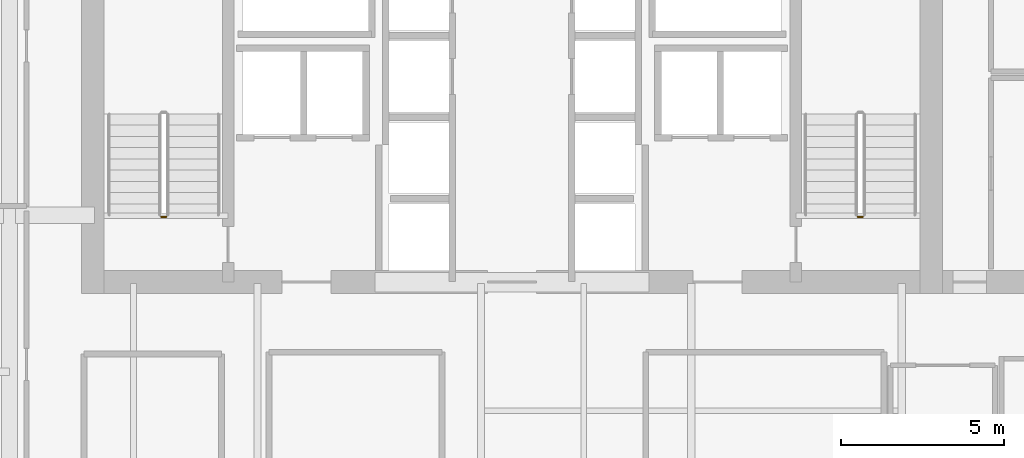
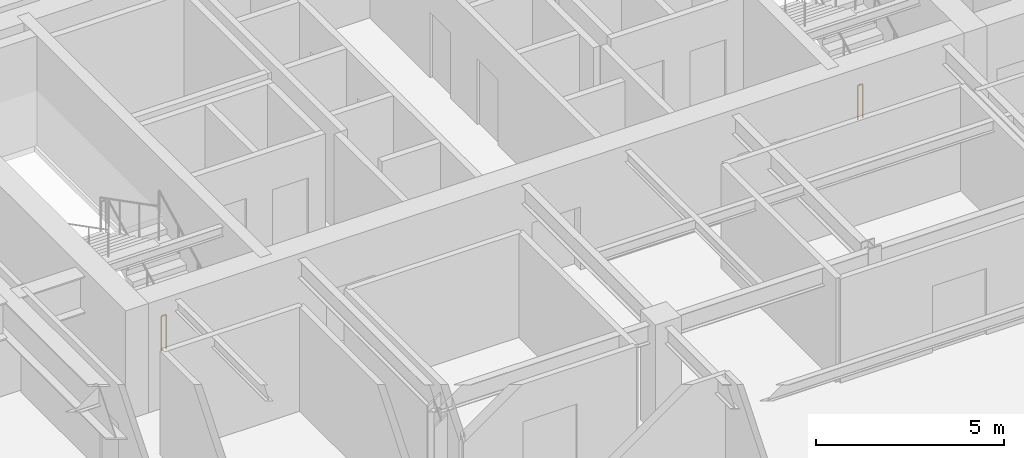
# One storey, part 18 of 21: 2 railings.
"""IFC4 building model written with IfcOpenShell, lengths in metres."""

from ifc_helpers import new_model, si_unit, direction, frame, origin, origin_2d, place, context, subcontext, project, spatial, circle, extrude, material, type_object, element, save


model = new_model("IFC4")

# Units and contexts
model_context = context("Model", 3, precision=1e-05, world=origin(), true_north=direction((0.0, 1.0)))
body_context = subcontext(model_context, "Body", "Model", "MODEL_VIEW")
ifc_project = project(units=[si_unit("LENGTHUNIT", "METRE"), si_unit("AREAUNIT", "SQUARE_METRE"), si_unit("VOLUMEUNIT", "CUBIC_METRE"), si_unit("PLANEANGLEUNIT", "RADIAN"), si_unit("MASSUNIT", "GRAM", prefix="KILO")], contexts=[model_context])

# Site, building, storey
site_placement = place(None, origin())
site = spatial("IfcSite", under=ifc_project, at=site_placement, CompositionType="ELEMENT")
building_placement = place(site_placement, origin())
building = spatial("IfcBuilding", under=site, at=building_placement, Name="Tolvann Quenvar Hotel", CompositionType="ELEMENT")
storey_placement = place(building_placement, frame((0.0, 0.0, 161.25)))
storey = spatial("IfcBuildingStorey", under=building, at=storey_placement, Name="L42", CompositionType="ELEMENT", Elevation=161.25)

# Railings
ifc_material = material(Name="Brushed 316 stainless steel balustrade and handrail", Category="steel")
railing_type = type_object("IfcRailingType", Name="GUARDRAIL", PredefinedType="GUARDRAIL", material=ifc_material)
for number, where, name in (
    (1, (12.39990234375, 33.949951171875, 0.0), "L42 ST-C1 stair guard 4"),
    (2, (33.75, 33.949951171875, 0.0), "L42 ST-C2 stair guard 4"),
):
    element("IfcRailing", number, at=place(storey_placement, frame(where)), inside=storey, type_object=railing_type, Name=name, PredefinedType="GUARDRAIL", context=body_context, shape_type="SweptSolid", body=[
        extrude(circle(Radius=0.02392578125, at=origin_2d()), frame((0.0, 0.0, 1.09619140625), z_axis=(-1.0, 0.0, 0.0), x_axis=(0.0, -1.0, 0.0)), (0.0, 0.0, 1.0), 0.14990234375),
        extrude(circle(Radius=0.02099609375, at=origin_2d()), origin(), (0.0, 0.0, 1.0), 1.072021484375),
        extrude(circle(Radius=0.02099609375, at=origin_2d()), frame((-0.14990234375, 0.0, 0.0)), (0.0, 0.0, 1.0), 1.072021484375),
    ])

save(model, "model.ifc")
